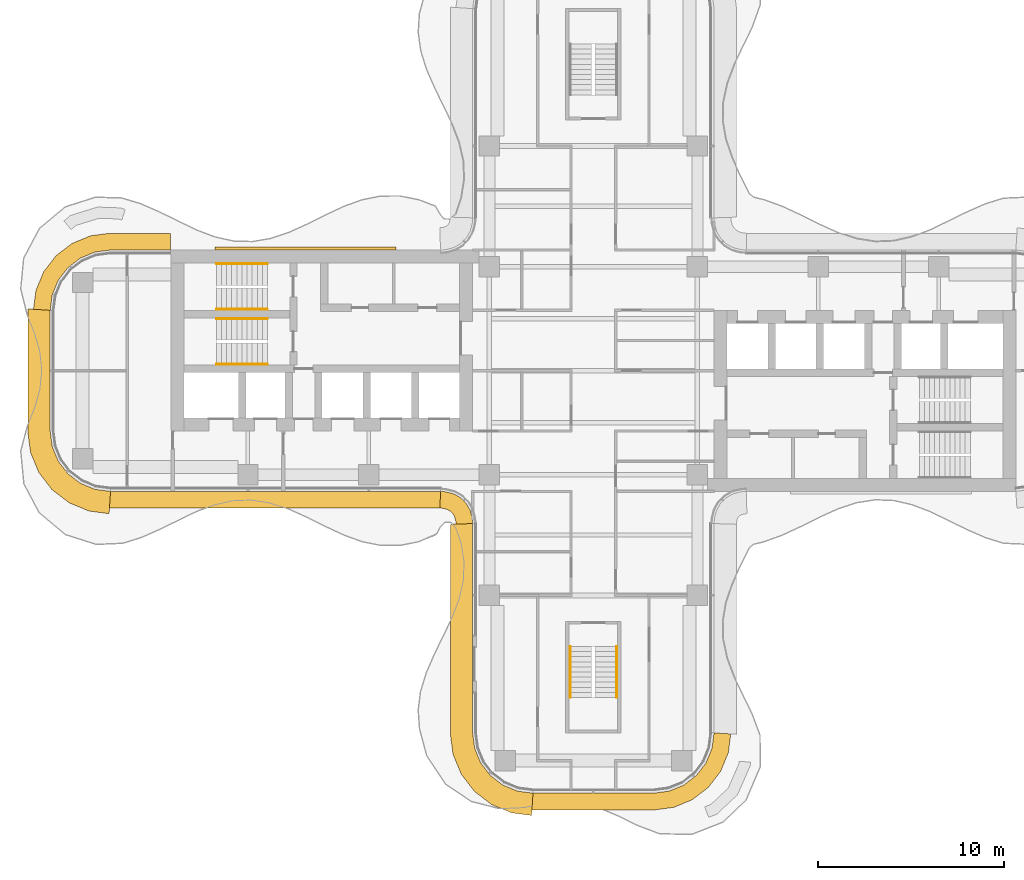
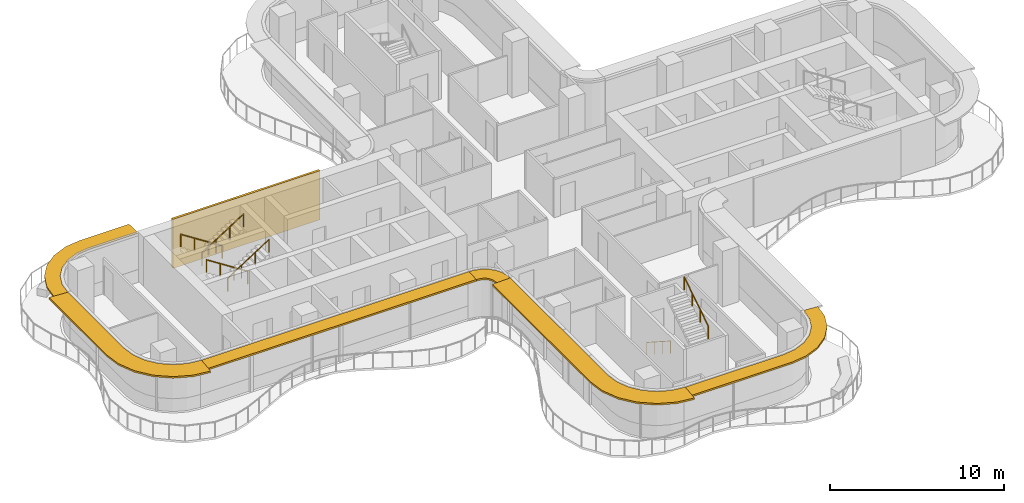
# One storey, part 15 of 16: 6 railings, 6 shading devices, 1 covering.
"""IFC4 building model written with IfcOpenShell, lengths in metres."""

from ifc_helpers import new_model, si_unit, direction, frame, origin, origin_2d, place, context, subcontext, project, spatial, polyline, circle, outline, extrude, source, transform, mapped, material, layer, layer_set, type_object, element, save


model = new_model("IFC4")

# Units and contexts
model_context = context("Model", 3, precision=1e-05, world=origin(), true_north=direction((0.0, 1.0)))
body_context = subcontext(model_context, "Body", "Model", "MODEL_VIEW")
ifc_project = project(units=[si_unit("LENGTHUNIT", "METRE"), si_unit("AREAUNIT", "SQUARE_METRE"), si_unit("VOLUMEUNIT", "CUBIC_METRE"), si_unit("PLANEANGLEUNIT", "RADIAN"), si_unit("MASSUNIT", "GRAM", prefix="KILO")], contexts=[model_context])

# Site, building, storey
site_placement = place(None, origin())
site = spatial("IfcSite", under=ifc_project, at=site_placement, CompositionType="ELEMENT")
building_placement = place(site_placement, origin())
building = spatial("IfcBuilding", under=site, at=building_placement, Name="Trellis Farm Tower", CompositionType="ELEMENT")
storey_placement = place(building_placement, frame((0.0, 0.0, 267.5)))
storey = spatial("IfcBuildingStorey", under=building, at=storey_placement, Name="L60", CompositionType="ELEMENT", Elevation=267.5)

# Railings
ifc_material_1 = material(Name="Stainless steel", Category="steel")
railing_type = type_object("IfcRailingType", Name="STAIR HANDRAIL 900", PredefinedType="HANDRAIL", material=ifc_material_1)
shared_shape_1 = source(origin(), body_context, "Body", "SweptSolid", [
    extrude(circle(Radius=0.02392578125, at=origin_2d()), frame((0.0, 0.0, 0.8759765625), z_axis=(0.0, 0.840503830235, 0.541805602924), x_axis=(-1.0, 0.0, 0.0)), (0.0, 0.0, 1.0), 3.271728515625),
    extrude(circle(Radius=0.02099609375, at=origin_2d()), origin(), (0.0, 0.0, 1.0), 0.851806640625),
    extrude(circle(Radius=0.02099609375, at=origin_2d()), frame((0.0, 0.916748046875, 0.5908203125)), (0.0, 0.0, 1.0), 0.851806640625),
    extrude(circle(Radius=0.02099609375, at=origin_2d()), frame((0.0, 1.833251953125, 1.181884765625)), (0.0, 0.0, 1.0), 0.851806640625),
    extrude(circle(Radius=0.02099609375, at=origin_2d()), frame((0.0, 2.75, 1.772705078125)), (0.0, 0.0, 1.0), 0.851806640625),
])
railing_1_placement = place(storey_placement, frame((1.25, -17.60009765625, 2.127197265625)))
element("IfcRailing", 1, at=railing_1_placement, inside=storey, type_object=railing_type, Name="Stair handrail", PredefinedType="HANDRAIL", context=body_context, shape_type="MappedRepresentation", body=[
    mapped(shared_shape_1, transform((0.0, 0.0, 0.0))),
])
shared_shape_2 = source(origin(), body_context, "Body", "SweptSolid", [
    extrude(circle(Radius=0.02392578125, at=origin_2d()), frame((0.0, 0.0, 0.8759765625), z_axis=(0.0, -0.840503830235, 0.541805602924), x_axis=(1.0, 0.0, 0.0)), (0.0, 0.0, 1.0), 3.271728515625),
    extrude(circle(Radius=0.02099609375, at=origin_2d()), origin(), (0.0, 0.0, 1.0), 0.851806640625),
    extrude(circle(Radius=0.02099609375, at=origin_2d()), frame((0.0, -0.916748046875, 0.5908203125)), (0.0, 0.0, 1.0), 0.851806640625),
    extrude(circle(Radius=0.02099609375, at=origin_2d()), frame((0.0, -1.833251953125, 1.181884765625)), (0.0, 0.0, 1.0), 0.851806640625),
    extrude(circle(Radius=0.02099609375, at=origin_2d()), frame((0.0, -2.75, 1.772705078125)), (0.0, 0.0, 1.0), 0.851806640625),
])
railing_2_placement = place(storey_placement, frame((-1.25, -14.85009765625, 0.17724609375)))
element("IfcRailing", 2, at=railing_2_placement, inside=storey, type_object=railing_type, Name="Stair handrail", PredefinedType="HANDRAIL", context=body_context, shape_type="MappedRepresentation", body=[
    mapped(shared_shape_2, transform((0.0, 0.0, 0.0))),
])
shared_shape_3 = source(origin(), body_context, "Body", "SweptSolid", [
    extrude(circle(Radius=0.02392578125, at=origin_2d()), frame((0.0, 0.0, 0.8759765625), z_axis=(0.840503830235, 0.0, 0.541805602924), x_axis=(0.0, 1.0, 0.0)), (0.0, 0.0, 1.0), 3.271728515625),
    extrude(circle(Radius=0.02099609375, at=origin_2d()), origin(), (0.0, 0.0, 1.0), 0.851806640625),
    extrude(circle(Radius=0.02099609375, at=origin_2d()), frame((0.916748046875, 0.0, 0.5908203125)), (0.0, 0.0, 1.0), 0.851806640625),
    extrude(circle(Radius=0.02099609375, at=origin_2d()), frame((1.833251953125, 0.0, 1.181884765625)), (0.0, 0.0, 1.0), 0.851806640625),
    extrude(circle(Radius=0.02099609375, at=origin_2d()), frame((2.75, 0.0, 1.772705078125)), (0.0, 0.0, 1.0), 0.851806640625),
])
for number, where, name in (
    (3, (-20.300048828125, 3.300048828125, 2.127197265625), "Stair handrail"),
    (4, (-20.300048828125, 0.35009765625, 2.127197265625), "Stair handrail"),
):
    element("IfcRailing", number, at=place(storey_placement, frame(where)), inside=storey, type_object=railing_type, Name=name, PredefinedType="HANDRAIL", context=body_context, shape_type="MappedRepresentation", body=[
        mapped(shared_shape_3, transform((0.0, 0.0, 0.0))),
    ])
shared_shape_4 = source(origin(), body_context, "Body", "SweptSolid", [
    extrude(circle(Radius=0.02392578125, at=origin_2d()), frame((0.0, 0.0, 0.8759765625), z_axis=(-0.840503830235, 0.0, 0.541805602924), x_axis=(0.0, -1.0, 0.0)), (0.0, 0.0, 1.0), 3.271728515625),
    extrude(circle(Radius=0.02099609375, at=origin_2d()), origin(), (0.0, 0.0, 1.0), 0.851806640625),
    extrude(circle(Radius=0.02099609375, at=origin_2d()), frame((-0.916748046875, 0.0, 0.5908203125)), (0.0, 0.0, 1.0), 0.851806640625),
    extrude(circle(Radius=0.02099609375, at=origin_2d()), frame((-1.833251953125, 0.0, 1.181884765625)), (0.0, 0.0, 1.0), 0.851806640625),
    extrude(circle(Radius=0.02099609375, at=origin_2d()), frame((-2.75, 0.0, 1.772705078125)), (0.0, 0.0, 1.0), 0.851806640625),
])
for number, where, name in (
    (5, (-17.550048828125, 5.75, 0.17724609375), "Stair handrail"),
    (6, (-17.550048828125, 2.800048828125, 0.17724609375), "Stair handrail"),
):
    element("IfcRailing", number, at=place(storey_placement, frame(where)), inside=storey, type_object=railing_type, Name=name, PredefinedType="HANDRAIL", context=body_context, shape_type="MappedRepresentation", body=[
        mapped(shared_shape_4, transform((0.0, 0.0, 0.0))),
    ])

# Shading devices
ifc_material_2 = material(Name="Aluminium extrusion 6063-T6", Category="aluminium")
ifc_layer_1 = layer(ifc_material_2, 0.1201171875)
ifc_layer_set_1 = layer_set([ifc_layer_1], Name="SUNSHADE BLADE 900")
shading_device_type_1 = type_object("IfcShadingDeviceType", Name="SUNSHADE BLADE 900", PredefinedType="USERDEFINED", material=ifc_layer_set_1)
shared_shape_5 = source(origin(), body_context, "Body", "SweptSolid", [
    extrude(outline(polyline([(-8.2607421875, -7.39990234375), (-8.107666015625, -7.409912109375), (-8.091552734375, -7.412109375), (-7.85595703125, -7.475341796875), (-7.697021484375, -7.567138671875), (-7.567138671875, -7.697021484375), (-7.475341796875, -7.85595703125), (-7.412109375, -8.091552734375), (-7.409912109375, -8.107666015625), (-7.39990234375, -8.2607421875), (-6.5, -8.2314453125), (-6.513916015625, -8.01953125), (-6.527587890625, -7.91552734375), (-6.63671875, -7.508544921875), (-6.846923828125, -7.144287109375), (-7.144287109375, -6.846923828125), (-7.508544921875, -6.63671875), (-7.91552734375, -6.527587890625), (-8.01953125, -6.513916015625), (-8.2314453125, -6.5), (-8.2607421875, -7.39990234375)])), origin(), (0.0, 0.0, 1.0), 0.119873046875),
])
placement = place(storey_placement, frame((0.0, 0.0, 3.2900390625)))
element("IfcShadingDevice", 7, at=placement, inside=storey, type_object=shading_device_type_1, Name="SD1 002", ObjectType="SUNSHADE", PredefinedType="USERDEFINED", context=body_context, shape_type="MappedRepresentation", body=[
    mapped(shared_shape_5, transform((0.0, 0.0, 0.0))),
])
shared_shape_6 = source(origin(), body_context, "Body", "SweptSolid", [
    extrude(outline(polyline([(-26.05908203125, -7.39990234375), (-8.2607421875, -7.39990234375), (-8.2314453125, -6.5), (-26.0, -6.5), (-26.05908203125, -7.39990234375)])), origin(), (0.0, 0.0, 1.0), 0.119873046875),
])
element("IfcShadingDevice", 8, at=placement, inside=storey, type_object=shading_device_type_1, Name="SD1 001", ObjectType="SUNSHADE", PredefinedType="USERDEFINED", context=body_context, shape_type="MappedRepresentation", body=[
    mapped(shared_shape_6, transform((0.0, 0.0, 0.0))),
])
shared_shape_7 = source(origin(), body_context, "Body", "SweptSolid", [
    extrude(outline(polyline([(-22.780029296875, 7.39990234375), (-26.05908203125, 7.39990234375), (-27.076171875, 7.26611328125), (-28.078857421875, 6.850830078125), (-28.93994140625, 6.18994140625), (-29.600830078125, 5.328857421875), (-30.01611328125, 4.326171875), (-30.14990234375, 3.30908203125), (-29.25, 3.25), (-29.13916015625, 4.091064453125), (-28.814697265625, 4.875), (-28.298095703125, 5.548095703125), (-27.625, 6.064697265625), (-26.841064453125, 6.38916015625), (-26.0, 6.5), (-22.780029296875, 6.5), (-22.780029296875, 7.39990234375)])), origin(), (0.0, 0.0, 1.0), 0.119873046875),
])
element("IfcShadingDevice", 9, at=placement, inside=storey, type_object=shading_device_type_1, Name="SD1 015", ObjectType="SUNSHADE", PredefinedType="USERDEFINED", context=body_context, shape_type="MappedRepresentation", body=[
    mapped(shared_shape_7, transform((0.0, 0.0, 0.0))),
])
ifc_layer_2 = layer(ifc_material_2, 0.1201171875)
ifc_layer_set_2 = layer_set([ifc_layer_2], Name="SUNSHADE BLADE 1200")
shading_device_type_2 = type_object("IfcShadingDeviceType", Name="SUNSHADE BLADE 1200", PredefinedType="USERDEFINED", material=ifc_layer_set_2)
shared_shape_8 = source(origin(), body_context, "Body", "SweptSolid", [
    extrude(outline(polyline([(-30.449951171875, 3.32861328125), (-30.449951171875, -3.32861328125), (-30.308349609375, -4.404541015625), (-29.86279296875, -5.480224609375), (-29.154052734375, -6.404052734375), (-28.230224609375, -7.11279296875), (-27.154541015625, -7.558349609375), (-26.07861328125, -7.699951171875), (-26.0, -6.5), (-26.841064453125, -6.38916015625), (-27.625, -6.064697265625), (-28.298095703125, -5.548095703125), (-28.814697265625, -4.875), (-29.13916015625, -4.091064453125), (-29.25, -3.25), (-29.25, 3.25), (-30.449951171875, 3.32861328125)])), origin(), (0.0, 0.0, 1.0), 0.119873046875),
])
element("IfcShadingDevice", 10, at=placement, inside=storey, type_object=shading_device_type_2, Name="SD2 016", ObjectType="SUNSHADE", PredefinedType="USERDEFINED", context=body_context, shape_type="MappedRepresentation", body=[
    mapped(shared_shape_8, transform((0.0, 0.0, 0.0))),
])
shared_shape_9 = source(origin(), body_context, "Body", "SweptSolid", [
    extrude(outline(polyline([(-7.699951171875, -8.270751953125), (-7.699951171875, -19.57861328125), (-7.558349609375, -20.654541015625), (-7.11279296875, -21.730224609375), (-6.404052734375, -22.654052734375), (-5.480224609375, -23.36279296875), (-4.404541015625, -23.808349609375), (-3.32861328125, -23.949951171875), (-3.25, -22.75), (-4.091064453125, -22.63916015625), (-4.875, -22.314697265625), (-5.548095703125, -21.798095703125), (-6.064697265625, -21.125), (-6.38916015625, -20.341064453125), (-6.5, -19.5), (-6.5, -8.2314453125), (-7.699951171875, -8.270751953125)])), origin(), (0.0, 0.0, 1.0), 0.119873046875),
])
element("IfcShadingDevice", 11, at=placement, inside=storey, type_object=shading_device_type_2, Name="SD2 003", ObjectType="SUNSHADE", PredefinedType="USERDEFINED", context=body_context, shape_type="MappedRepresentation", body=[
    mapped(shared_shape_9, transform((0.0, 0.0, 0.0))),
])
shared_shape_10 = source(origin(), body_context, "Body", "SweptSolid", [
    extrude(outline(polyline([(-3.30908203125, -23.64990234375), (3.30908203125, -23.64990234375), (4.326171875, -23.51611328125), (5.328857421875, -23.100830078125), (6.18994140625, -22.43994140625), (6.850830078125, -21.578857421875), (7.26611328125, -20.576171875), (7.39990234375, -19.55908203125), (6.5, -19.5), (6.38916015625, -20.341064453125), (6.064697265625, -21.125), (5.548095703125, -21.798095703125), (4.875, -22.314697265625), (4.091064453125, -22.63916015625), (3.25, -22.75), (-3.25, -22.75), (-3.30908203125, -23.64990234375)])), origin(), (0.0, 0.0, 1.0), 0.119873046875),
])
element("IfcShadingDevice", 12, at=placement, inside=storey, type_object=shading_device_type_1, Name="SD1 004", ObjectType="SUNSHADE", PredefinedType="USERDEFINED", context=body_context, shape_type="MappedRepresentation", body=[
    mapped(shared_shape_10, transform((0.0, 0.0, 0.0))),
])

# Covering
ifc_material_3 = material(Name="Perforated precast screen (cobogo)", Category="concrete")
ifc_layer_3 = layer(ifc_material_3, 0.14990234375)
ifc_layer_set_3 = layer_set([ifc_layer_3], Name="COBOGO SCREEN PANEL")
covering_type = type_object("IfcCoveringType", Name="COBOGO SCREEN PANEL", PredefinedType="USERDEFINED", material=ifc_layer_set_3)
shared_shape_11 = source(origin(), body_context, "Body", "SweptSolid", [
    extrude(outline(polyline([(-10.630615234375, 6.64990234375), (-20.380615234375, 6.64990234375), (-20.380615234375, 6.5), (-10.630615234375, 6.5), (-10.630615234375, 6.64990234375)])), origin(), (0.0, 0.0, 1.0), 3.449951171875),
])
covering_placement = place(storey_placement, origin())
element("IfcCovering", 13, at=covering_placement, inside=storey, type_object=covering_type, Name="SC1 02", ObjectType="SCREEN", PredefinedType="USERDEFINED", context=body_context, shape_type="MappedRepresentation", body=[
    mapped(shared_shape_11, transform((0.0, 0.0, 0.0))),
])

save(model, "model.ifc")
